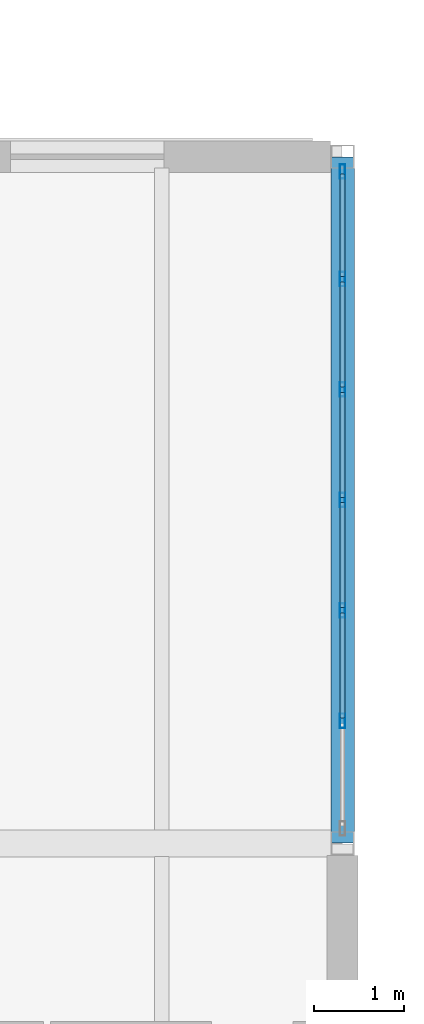
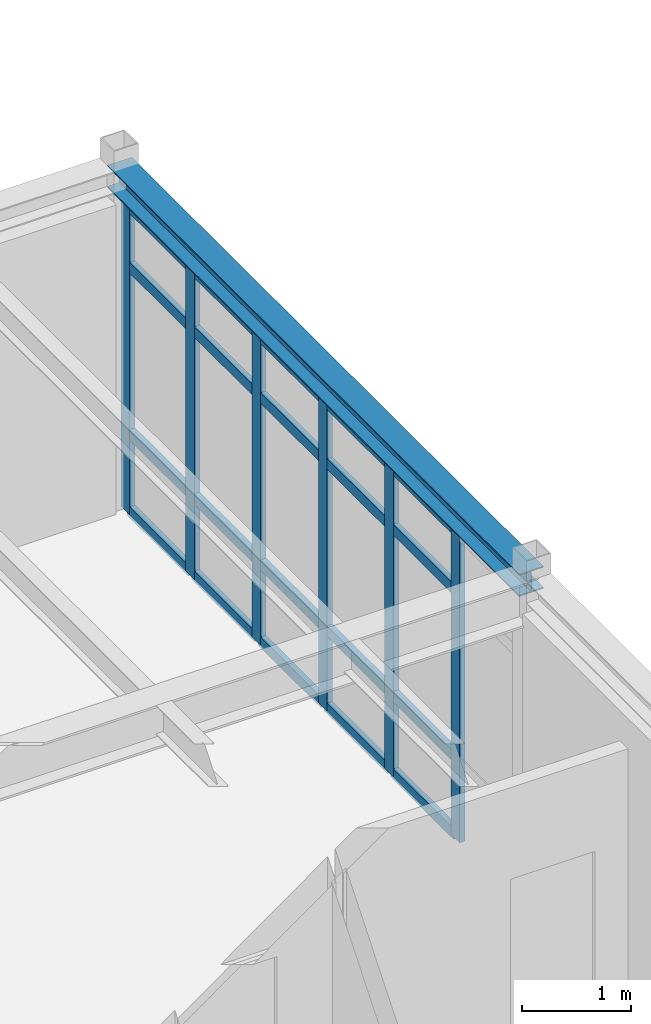
# One storey, part 132 of 189: 26 members, 1 beam, 1 element without a shape of its own.
"""IFC4 building model written with IfcOpenShell, lengths in metres."""

from ifc_helpers import new_model, si_unit, direction, frame, origin, origin_2d, place, context, subcontext, project, spatial, hollow_rectangle, i_section, extrude, material, layer, layer_set, material_profile, profile_set, type_object, element, aggregate, save


model = new_model("IFC4")

# Units and contexts
model_context = context("Model", 3, precision=1e-05, world=origin(), true_north=direction((0.0, 1.0)))
body_context = subcontext(model_context, "Body", "Model", "MODEL_VIEW")
ifc_project = project(units=[si_unit("LENGTHUNIT", "METRE"), si_unit("AREAUNIT", "SQUARE_METRE"), si_unit("VOLUMEUNIT", "CUBIC_METRE"), si_unit("PLANEANGLEUNIT", "RADIAN"), si_unit("MASSUNIT", "GRAM", prefix="KILO")], contexts=[model_context])

# Site, building, storey
site_placement = place(None, origin())
site = spatial("IfcSite", under=ifc_project, at=site_placement, CompositionType="ELEMENT")
building_placement = place(site_placement, origin())
building = spatial("IfcBuilding", under=site, at=building_placement, Name="Montecoro Central Library", CompositionType="ELEMENT")
storey_placement = place(building_placement, frame((0.0, 0.0, 9.179931640625)))
storey = spatial("IfcBuildingStorey", under=building, at=storey_placement, Name="L02", CompositionType="ELEMENT", Elevation=9.179931640625)

# Beam
ifc_material_1 = material(Name="Steel S355", Category="steel")
ifc_material_profile_1 = material_profile(ifc_material_1, i_section(OverallWidth=0.260009765625, OverallDepth=0.25, WebThickness=0.007568359375, FlangeThickness=0.012451171875, at=origin_2d()), Name="HEA 260")
ifc_profile_set_1 = profile_set([ifc_material_profile_1], Name="Steel S355")
beam_type = type_object("IfcBeamType", Name="BM-SP-HEA260", PredefinedType="SPANDREL", material=ifc_profile_set_1)
beam_placement = place(storey_placement, frame((173.0, 35.405029296875, 3.699951171875), z_axis=(0.0, 1.0, 0.0), x_axis=(-1.0, 0.0, 0.0)))
element("IfcBeam", 1, at=beam_placement, inside=storey, type_object=beam_type, Name="V6-L02-BY-22-EF", PredefinedType="SPANDREL", context=body_context, shape_type="SweptSolid", body=[
    extrude(i_section(OverallWidth=0.260009765625, OverallDepth=0.25, WebThickness=0.007568359375, FlangeThickness=0.012451171875, at=origin_2d()), origin(), (0.0, 0.0, 1.0), 7.590087890625),
])

# Curtain wall, members
ifc_material_2 = material(Name="Bronze-anodised aluminium and low-E glazing", Category="aluminium")
ifc_layer = layer(ifc_material_2, 0.159912109375)
ifc_layer_set = layer_set([ifc_layer], Name="Bronze-anodised aluminium and low-E glazing")
curtain_wall_type = type_object("IfcCurtainWallType", Name="CWT-065", PredefinedType="NOTDEFINED", material=ifc_layer_set)
curtain_wall_placement = place(storey_placement, origin())
curtain_wall = element("IfcCurtainWall", 2, at=curtain_wall_placement, inside=storey, type_object=curtain_wall_type, Name="V6-L02-CW-E4", PredefinedType="NOTDEFINED")
ifc_material_3 = material(Name="Bronze-anodised aluminium", Category="aluminium")
ifc_material_profile_2 = material_profile(ifc_material_3, hollow_rectangle(XDim=0.06005859375, YDim=0.159912109375, WallThickness=0.00390625, at=origin_2d()), Name="CWM 160x60x4.0")
ifc_profile_set_2 = profile_set([ifc_material_profile_2], Name="Bronze-anodised aluminium")
member_type_1 = type_object("IfcMemberType", Name="CWM-BRZ-60", PredefinedType="MULLION", material=ifc_profile_set_2)
member_1_placement = place(storey_placement, frame((173.0, 36.75537109375, 0.0), z_axis=(0.0, 0.0, 1.0), x_axis=(-1.0, 0.0, 0.0)))
member_1 = element("IfcMember", 3, at=member_1_placement, type_object=member_type_1, Name="CW-065 mullion 2", PredefinedType="MULLION", context=body_context, shape_type="SweptSolid", body=[
    extrude(hollow_rectangle(XDim=0.06005859375, YDim=0.159912109375, WallThickness=0.00390625, at=origin_2d()), origin(), (0.0, 0.0, 1.0), 3.47998046875),
])
member_2_placement = place(storey_placement, frame((173.0, 37.977783203125, 0.0), z_axis=(0.0, 0.0, 1.0), x_axis=(-1.0, 0.0, 0.0)))
member_2 = element("IfcMember", 4, at=member_2_placement, type_object=member_type_1, Name="CW-065 mullion 3", PredefinedType="MULLION", context=body_context, shape_type="SweptSolid", body=[
    extrude(hollow_rectangle(XDim=0.06005859375, YDim=0.159912109375, WallThickness=0.00390625, at=origin_2d()), origin(), (0.0, 0.0, 1.0), 3.47998046875),
])
member_3_placement = place(storey_placement, frame((173.0, 39.199951171875, 0.0), z_axis=(0.0, 0.0, 1.0), x_axis=(-1.0, 0.0, 0.0)))
member_3 = element("IfcMember", 5, at=member_3_placement, type_object=member_type_1, Name="CW-065 mullion 4", PredefinedType="MULLION", context=body_context, shape_type="SweptSolid", body=[
    extrude(hollow_rectangle(XDim=0.06005859375, YDim=0.159912109375, WallThickness=0.00390625, at=origin_2d()), origin(), (0.0, 0.0, 1.0), 3.47998046875),
])
member_4_placement = place(storey_placement, frame((173.0, 40.42236328125, 0.0), z_axis=(0.0, 0.0, 1.0), x_axis=(-1.0, 0.0, 0.0)))
member_4 = element("IfcMember", 6, at=member_4_placement, type_object=member_type_1, Name="CW-065 mullion 5", PredefinedType="MULLION", context=body_context, shape_type="SweptSolid", body=[
    extrude(hollow_rectangle(XDim=0.06005859375, YDim=0.159912109375, WallThickness=0.00390625, at=origin_2d()), origin(), (0.0, 0.0, 1.0), 3.47998046875),
])
member_5_placement = place(storey_placement, frame((173.0, 41.644775390625, 0.0), z_axis=(0.0, 0.0, 1.0), x_axis=(-1.0, 0.0, 0.0)))
member_5 = element("IfcMember", 7, at=member_5_placement, type_object=member_type_1, Name="CW-065 mullion 6", PredefinedType="MULLION", context=body_context, shape_type="SweptSolid", body=[
    extrude(hollow_rectangle(XDim=0.06005859375, YDim=0.159912109375, WallThickness=0.00390625, at=origin_2d()), origin(), (0.0, 0.0, 1.0), 3.47998046875),
])
member_6_placement = place(storey_placement, frame((173.0, 42.8369140625, 0.0), z_axis=(0.0, 0.0, 1.0), x_axis=(-1.0, 0.0, 0.0)))
member_6 = element("IfcMember", 8, at=member_6_placement, type_object=member_type_1, Name="CW-065 mullion 7", PredefinedType="MULLION", context=body_context, shape_type="SweptSolid", body=[
    extrude(hollow_rectangle(XDim=0.06005859375, YDim=0.159912109375, WallThickness=0.00390625, at=origin_2d()), origin(), (0.0, 0.0, 1.0), 3.47998046875),
])
ifc_material_profile_3 = material_profile(ifc_material_3, hollow_rectangle(XDim=0.06005859375, YDim=0.1201171875, WallThickness=0.00390625, at=origin_2d()), Name="CWT 120x60x4.0")
ifc_profile_set_3 = profile_set([ifc_material_profile_3], Name="Bronze-anodised aluminium")
member_type_2 = type_object("IfcMemberType", Name="CWT-BRZ-60", PredefinedType="USERDEFINED", material=ifc_profile_set_3)
member_7_placement = place(storey_placement, frame((173.0, 36.785400390625, 0.030029296875), z_axis=(0.0, 1.0, 0.0), x_axis=(-1.0, 0.0, 0.0)))
member_7 = element("IfcMember", 9, at=member_7_placement, type_object=member_type_2, Name="CW-065 transom 2.1", ObjectType="TRANSOM", PredefinedType="USERDEFINED", context=body_context, shape_type="SweptSolid", body=[
    extrude(hollow_rectangle(XDim=0.06005859375, YDim=0.1201171875, WallThickness=0.00390625, at=origin_2d()), origin(), (0.0, 0.0, 1.0), 1.162353515625),
])
member_8_placement = place(storey_placement, frame((173.0, 36.785400390625, 0.900146484375), z_axis=(0.0, 1.0, 0.0), x_axis=(-1.0, 0.0, 0.0)))
member_8 = element("IfcMember", 10, at=member_8_placement, type_object=member_type_2, Name="CW-065 transom 2.2", ObjectType="TRANSOM", PredefinedType="USERDEFINED", context=body_context, shape_type="SweptSolid", body=[
    extrude(hollow_rectangle(XDim=0.06005859375, YDim=0.1201171875, WallThickness=0.00390625, at=origin_2d()), origin(), (0.0, 0.0, 1.0), 1.162353515625),
])
member_9_placement = place(storey_placement, frame((173.0, 36.785400390625, 2.780029296875), z_axis=(0.0, 1.0, 0.0), x_axis=(-1.0, 0.0, 0.0)))
member_9 = element("IfcMember", 11, at=member_9_placement, type_object=member_type_2, Name="CW-065 transom 2.3", ObjectType="TRANSOM", PredefinedType="USERDEFINED", context=body_context, shape_type="SweptSolid", body=[
    extrude(hollow_rectangle(XDim=0.06005859375, YDim=0.1201171875, WallThickness=0.00390625, at=origin_2d()), origin(), (0.0, 0.0, 1.0), 1.162353515625),
])
member_10_placement = place(storey_placement, frame((173.0, 36.785400390625, 3.449951171875), z_axis=(0.0, 1.0, 0.0), x_axis=(-1.0, 0.0, 0.0)))
member_10 = element("IfcMember", 12, at=member_10_placement, type_object=member_type_2, Name="CW-065 transom 2.4", ObjectType="TRANSOM", PredefinedType="USERDEFINED", context=body_context, shape_type="SweptSolid", body=[
    extrude(hollow_rectangle(XDim=0.06005859375, YDim=0.1201171875, WallThickness=0.00390625, at=origin_2d()), origin(), (0.0, 0.0, 1.0), 1.162353515625),
])
member_11_placement = place(storey_placement, frame((173.0, 38.007568359375, 0.030029296875), z_axis=(0.0, 1.0, 0.0), x_axis=(-1.0, 0.0, 0.0)))
member_11 = element("IfcMember", 13, at=member_11_placement, type_object=member_type_2, Name="CW-065 transom 3.1", ObjectType="TRANSOM", PredefinedType="USERDEFINED", context=body_context, shape_type="SweptSolid", body=[
    extrude(hollow_rectangle(XDim=0.06005859375, YDim=0.1201171875, WallThickness=0.00390625, at=origin_2d()), origin(), (0.0, 0.0, 1.0), 1.162353515625),
])
member_12_placement = place(storey_placement, frame((173.0, 38.007568359375, 0.900146484375), z_axis=(0.0, 1.0, 0.0), x_axis=(-1.0, 0.0, 0.0)))
member_12 = element("IfcMember", 14, at=member_12_placement, type_object=member_type_2, Name="CW-065 transom 3.2", ObjectType="TRANSOM", PredefinedType="USERDEFINED", context=body_context, shape_type="SweptSolid", body=[
    extrude(hollow_rectangle(XDim=0.06005859375, YDim=0.1201171875, WallThickness=0.00390625, at=origin_2d()), origin(), (0.0, 0.0, 1.0), 1.162353515625),
])
member_13_placement = place(storey_placement, frame((173.0, 38.007568359375, 2.780029296875), z_axis=(0.0, 1.0, 0.0), x_axis=(-1.0, 0.0, 0.0)))
member_13 = element("IfcMember", 15, at=member_13_placement, type_object=member_type_2, Name="CW-065 transom 3.3", ObjectType="TRANSOM", PredefinedType="USERDEFINED", context=body_context, shape_type="SweptSolid", body=[
    extrude(hollow_rectangle(XDim=0.06005859375, YDim=0.1201171875, WallThickness=0.00390625, at=origin_2d()), origin(), (0.0, 0.0, 1.0), 1.162353515625),
])
member_14_placement = place(storey_placement, frame((173.0, 38.007568359375, 3.449951171875), z_axis=(0.0, 1.0, 0.0), x_axis=(-1.0, 0.0, 0.0)))
member_14 = element("IfcMember", 16, at=member_14_placement, type_object=member_type_2, Name="CW-065 transom 3.4", ObjectType="TRANSOM", PredefinedType="USERDEFINED", context=body_context, shape_type="SweptSolid", body=[
    extrude(hollow_rectangle(XDim=0.06005859375, YDim=0.1201171875, WallThickness=0.00390625, at=origin_2d()), origin(), (0.0, 0.0, 1.0), 1.162353515625),
])
member_15_placement = place(storey_placement, frame((173.0, 39.22998046875, 0.030029296875), z_axis=(0.0, 1.0, 0.0), x_axis=(-1.0, 0.0, 0.0)))
member_15 = element("IfcMember", 17, at=member_15_placement, type_object=member_type_2, Name="CW-065 transom 4.1", ObjectType="TRANSOM", PredefinedType="USERDEFINED", context=body_context, shape_type="SweptSolid", body=[
    extrude(hollow_rectangle(XDim=0.06005859375, YDim=0.1201171875, WallThickness=0.00390625, at=origin_2d()), origin(), (0.0, 0.0, 1.0), 1.162353515625),
])
member_16_placement = place(storey_placement, frame((173.0, 39.22998046875, 0.900146484375), z_axis=(0.0, 1.0, 0.0), x_axis=(-1.0, 0.0, 0.0)))
member_16 = element("IfcMember", 18, at=member_16_placement, type_object=member_type_2, Name="CW-065 transom 4.2", ObjectType="TRANSOM", PredefinedType="USERDEFINED", context=body_context, shape_type="SweptSolid", body=[
    extrude(hollow_rectangle(XDim=0.06005859375, YDim=0.1201171875, WallThickness=0.00390625, at=origin_2d()), origin(), (0.0, 0.0, 1.0), 1.162353515625),
])
member_17_placement = place(storey_placement, frame((173.0, 39.22998046875, 2.780029296875), z_axis=(0.0, 1.0, 0.0), x_axis=(-1.0, 0.0, 0.0)))
member_17 = element("IfcMember", 19, at=member_17_placement, type_object=member_type_2, Name="CW-065 transom 4.3", ObjectType="TRANSOM", PredefinedType="USERDEFINED", context=body_context, shape_type="SweptSolid", body=[
    extrude(hollow_rectangle(XDim=0.06005859375, YDim=0.1201171875, WallThickness=0.00390625, at=origin_2d()), origin(), (0.0, 0.0, 1.0), 1.162353515625),
])
member_18_placement = place(storey_placement, frame((173.0, 39.22998046875, 3.449951171875), z_axis=(0.0, 1.0, 0.0), x_axis=(-1.0, 0.0, 0.0)))
member_18 = element("IfcMember", 20, at=member_18_placement, type_object=member_type_2, Name="CW-065 transom 4.4", ObjectType="TRANSOM", PredefinedType="USERDEFINED", context=body_context, shape_type="SweptSolid", body=[
    extrude(hollow_rectangle(XDim=0.06005859375, YDim=0.1201171875, WallThickness=0.00390625, at=origin_2d()), origin(), (0.0, 0.0, 1.0), 1.162353515625),
])
member_19_placement = place(storey_placement, frame((173.0, 40.452392578125, 0.030029296875), z_axis=(0.0, 1.0, 0.0), x_axis=(-1.0, 0.0, 0.0)))
member_19 = element("IfcMember", 21, at=member_19_placement, type_object=member_type_2, Name="CW-065 transom 5.1", ObjectType="TRANSOM", PredefinedType="USERDEFINED", context=body_context, shape_type="SweptSolid", body=[
    extrude(hollow_rectangle(XDim=0.06005859375, YDim=0.1201171875, WallThickness=0.00390625, at=origin_2d()), origin(), (0.0, 0.0, 1.0), 1.162353515625),
])
member_20_placement = place(storey_placement, frame((173.0, 40.452392578125, 0.900146484375), z_axis=(0.0, 1.0, 0.0), x_axis=(-1.0, 0.0, 0.0)))
member_20 = element("IfcMember", 22, at=member_20_placement, type_object=member_type_2, Name="CW-065 transom 5.2", ObjectType="TRANSOM", PredefinedType="USERDEFINED", context=body_context, shape_type="SweptSolid", body=[
    extrude(hollow_rectangle(XDim=0.06005859375, YDim=0.1201171875, WallThickness=0.00390625, at=origin_2d()), origin(), (0.0, 0.0, 1.0), 1.162353515625),
])
member_21_placement = place(storey_placement, frame((173.0, 40.452392578125, 2.780029296875), z_axis=(0.0, 1.0, 0.0), x_axis=(-1.0, 0.0, 0.0)))
member_21 = element("IfcMember", 23, at=member_21_placement, type_object=member_type_2, Name="CW-065 transom 5.3", ObjectType="TRANSOM", PredefinedType="USERDEFINED", context=body_context, shape_type="SweptSolid", body=[
    extrude(hollow_rectangle(XDim=0.06005859375, YDim=0.1201171875, WallThickness=0.00390625, at=origin_2d()), origin(), (0.0, 0.0, 1.0), 1.162353515625),
])
member_22_placement = place(storey_placement, frame((173.0, 40.452392578125, 3.449951171875), z_axis=(0.0, 1.0, 0.0), x_axis=(-1.0, 0.0, 0.0)))
member_22 = element("IfcMember", 24, at=member_22_placement, type_object=member_type_2, Name="CW-065 transom 5.4", ObjectType="TRANSOM", PredefinedType="USERDEFINED", context=body_context, shape_type="SweptSolid", body=[
    extrude(hollow_rectangle(XDim=0.06005859375, YDim=0.1201171875, WallThickness=0.00390625, at=origin_2d()), origin(), (0.0, 0.0, 1.0), 1.162353515625),
])
member_23_placement = place(storey_placement, frame((173.0, 41.674560546875, 0.030029296875), z_axis=(0.0, 1.0, 0.0), x_axis=(-1.0, 0.0, 0.0)))
member_23 = element("IfcMember", 25, at=member_23_placement, type_object=member_type_2, Name="CW-065 transom 6.1", ObjectType="TRANSOM", PredefinedType="USERDEFINED", context=body_context, shape_type="SweptSolid", body=[
    extrude(hollow_rectangle(XDim=0.06005859375, YDim=0.1201171875, WallThickness=0.00390625, at=origin_2d()), origin(), (0.0, 0.0, 1.0), 1.13232421875),
])
member_24_placement = place(storey_placement, frame((173.0, 41.674560546875, 0.900146484375), z_axis=(0.0, 1.0, 0.0), x_axis=(-1.0, 0.0, 0.0)))
member_24 = element("IfcMember", 26, at=member_24_placement, type_object=member_type_2, Name="CW-065 transom 6.2", ObjectType="TRANSOM", PredefinedType="USERDEFINED", context=body_context, shape_type="SweptSolid", body=[
    extrude(hollow_rectangle(XDim=0.06005859375, YDim=0.1201171875, WallThickness=0.00390625, at=origin_2d()), origin(), (0.0, 0.0, 1.0), 1.13232421875),
])
member_25_placement = place(storey_placement, frame((173.0, 41.674560546875, 2.780029296875), z_axis=(0.0, 1.0, 0.0), x_axis=(-1.0, 0.0, 0.0)))
member_25 = element("IfcMember", 27, at=member_25_placement, type_object=member_type_2, Name="CW-065 transom 6.3", ObjectType="TRANSOM", PredefinedType="USERDEFINED", context=body_context, shape_type="SweptSolid", body=[
    extrude(hollow_rectangle(XDim=0.06005859375, YDim=0.1201171875, WallThickness=0.00390625, at=origin_2d()), origin(), (0.0, 0.0, 1.0), 1.13232421875),
])
member_26_placement = place(storey_placement, frame((173.0, 41.674560546875, 3.449951171875), z_axis=(0.0, 1.0, 0.0), x_axis=(-1.0, 0.0, 0.0)))
member_26 = element("IfcMember", 28, at=member_26_placement, type_object=member_type_2, Name="CW-065 transom 6.4", ObjectType="TRANSOM", PredefinedType="USERDEFINED", context=body_context, shape_type="SweptSolid", body=[
    extrude(hollow_rectangle(XDim=0.06005859375, YDim=0.1201171875, WallThickness=0.00390625, at=origin_2d()), origin(), (0.0, 0.0, 1.0), 1.13232421875),
])
aggregate(curtain_wall, [member_1, member_2, member_3, member_4, member_5, member_6, member_7, member_8, member_9, member_10, member_11, member_12, member_13, member_14, member_15, member_16, member_17, member_18, member_19, member_20, member_21, member_22, member_23, member_24, member_25, member_26])

save(model, "model.ifc")
